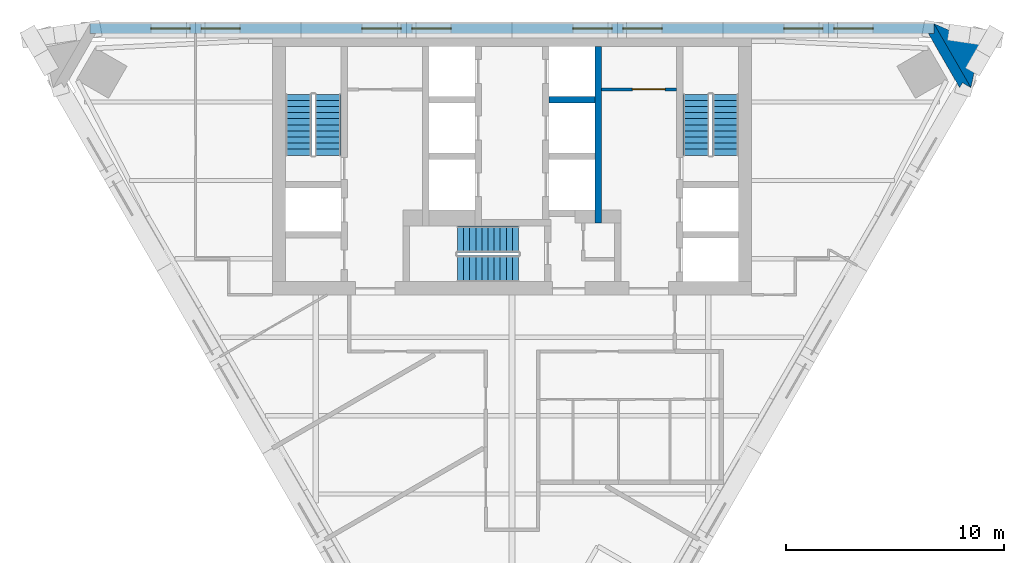
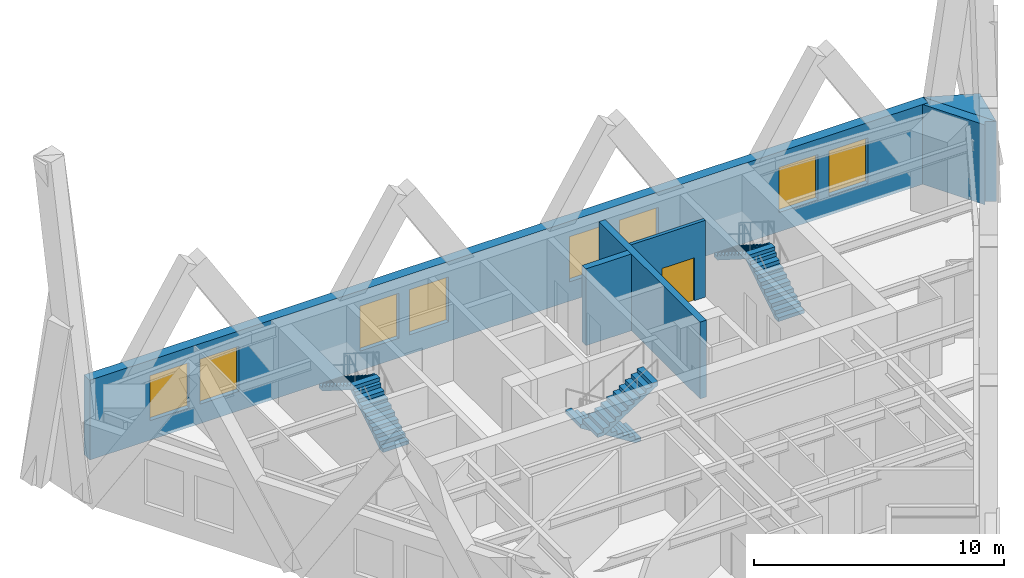
# One storey, part 6 of 7: 8 windows, 6 stair flights, 6 walls, 1 door, 9 openings, 3 elements without a shape of their own.
"""IFC4 building model written with IfcOpenShell, lengths in metres."""

from ifc_helpers import new_model, si_unit, direction, frame, frame_2d, origin, place, context, subcontext, project, spatial, polyline, rectangle, outline, extrude, material, layer, layer_set, type_object, element, fill, aggregate, save


model = new_model("IFC4")

# Units and contexts
model_context = context("Model", 3, precision=1e-05, world=origin(), true_north=direction((0.0, 1.0)))
body_context = subcontext(model_context, "Body", "Model", "MODEL_VIEW")
ifc_project = project(units=[si_unit("LENGTHUNIT", "METRE"), si_unit("AREAUNIT", "SQUARE_METRE"), si_unit("VOLUMEUNIT", "CUBIC_METRE"), si_unit("PLANEANGLEUNIT", "RADIAN"), si_unit("MASSUNIT", "GRAM", prefix="KILO")], contexts=[model_context])

# Site, building, storey
site_placement = place(None, origin())
site = spatial("IfcSite", under=ifc_project, at=site_placement, CompositionType="ELEMENT")
building_placement = place(site_placement, origin())
building = spatial("IfcBuilding", under=site, at=building_placement, Name="Aloe Facet Convention Tower", CompositionType="ELEMENT")
storey_placement = place(building_placement, frame((0.0, 0.0, 211.39990234375)))
storey = spatial("IfcBuildingStorey", under=building, at=storey_placement, Name="L53", CompositionType="ELEMENT", Elevation=211.39990234375)

# Wall, opening, door
ifc_material_1 = material(Name="Concrete blockwork partition", Category="masonry")
ifc_layer_1 = layer(ifc_material_1, 0.14990234375)
ifc_layer_set_1 = layer_set([ifc_layer_1], Name="CR-W-PART150")
wall_type_1 = type_object("IfcWallType", Name="CR-W-PART150", PredefinedType="PARTITIONING", material=ifc_layer_set_1)
wall_1_placement = place(storey_placement, frame((84.10009765625, 131.97509765625, 0.0), z_axis=(0.0, 0.0, 1.0), x_axis=(1.0, 0.0, 0.0)))
wall_1 = element("IfcWall", 1, at=wall_1_placement, inside=storey, type_object=wall_type_1, Name="Core partition L53-025", PredefinedType="PARTITIONING", context=body_context, shape_type="SweptSolid", body=[
    extrude(rectangle(XDim=3.449951171875, YDim=0.14990234375, at=frame_2d((1.72509765625, 0.0))), origin(), (0.0, 0.0, 1.0), 3.75),
])
opening_1_placement = place(wall_1_placement, frame((1.425048828125, 0.0, 0.0)))
opening_1 = element("IfcOpeningElement", 2, at=opening_1_placement, cuts=wall_1, Name="Opening L53-CD13", PredefinedType="OPENING", context=body_context, shape_type="SweptSolid", body=[
    extrude(rectangle(XDim=1.5, YDim=2.10009765625, at=frame_2d((0.75, 1.050048828125))), frame((0.0, 0.0849609375, 0.0), z_axis=(0.0, -1.0, 0.0), x_axis=(1.0, 0.0, 0.0)), (0.0, 0.0, 1.0), 0.169921875),
])
ifc_material_2 = material(Name="Steel fire-resisting door set FD60", Category="steel")
door_type = type_object("IfcDoorType", Name="CR-D-REFUGE-1500-FD60-DD", OperationType="DOUBLE_DOOR_DOUBLE_SWING", PredefinedType="DOOR", material=ifc_material_2)
door_placement = place(opening_1_placement, origin())
door = element("IfcDoor", 3, at=door_placement, inside=storey, type_object=door_type, Name="Core door L53-CD13", OperationType="DOUBLE_DOOR_DOUBLE_SWING", OverallHeight=2.10009765625, OverallWidth=1.5, PredefinedType="DOOR", context=body_context, shape_type="SweptSolid", body=[
    extrude(rectangle(XDim=1.5, YDim=2.10009765625, at=frame_2d((0.75, 1.050048828125))), frame((0.0, 0.02490234375, 0.0), z_axis=(0.0, -1.0, 0.0), x_axis=(1.0, 0.0, 0.0)), (0.0, 0.0, 1.0), 0.050048828125),
])
fill(opening_1, door)

# Walls
ifc_material_3 = material(Name="Concrete C50/60", Category="concrete")
ifc_layer_2 = layer(ifc_material_3, 0.300048828125)
ifc_layer_set_2 = layer_set([ifc_layer_2], Name="CR-W-RC300-C5060")
wall_type_2 = type_object("IfcWallType", Name="CR-W-RC300-C5060", PredefinedType="SOLIDWALL", material=ifc_layer_set_2)
wall_2_placement = place(storey_placement, frame((81.699951171875, 131.5, 0.0), z_axis=(0.0, 0.0, 1.0), x_axis=(1.0, 0.0, 0.0)))
element("IfcWall", 4, at=wall_2_placement, inside=storey, type_object=wall_type_2, Name="Core wall L53-018", PredefinedType="SOLIDWALL", context=body_context, shape_type="SweptSolid", body=[
    extrude(rectangle(XDim=2.10009765625, YDim=0.300048828125, at=frame_2d((1.050048828125, 0.0))), origin(), (0.0, 0.0, 1.0), 3.75),
])
wall_3_placement = place(storey_placement, frame((83.949951171875, 133.949951171875, 0.0), z_axis=(0.0, 0.0, 1.0), x_axis=(0.0, -1.0, 0.0)))
element("IfcWall", 5, at=wall_3_placement, inside=storey, type_object=wall_type_2, Name="Core wall L53-024", PredefinedType="SOLIDWALL", context=body_context, shape_type="SweptSolid", body=[
    extrude(rectangle(XDim=8.099853515625, YDim=0.300048828125, at=frame_2d((4.0498046875, 0.0))), origin(), (0.0, 0.0, 1.0), 3.75),
])
ifc_material_4 = material(Name="Precast concrete C40/50", Category="concrete")
ifc_layer_3 = layer(ifc_material_4, 0.449951171875)
ifc_layer_set_3 = layer_set([ifc_layer_3], Name="EV-WALL-PIER")
wall_type_3 = type_object("IfcWallType", Name="EV-WALL-PIER", PredefinedType="SOLIDWALL", material=ifc_layer_set_3)
wall_4_placement = place(storey_placement, frame((0.0, 0.0, -0.14990234375)))
element("IfcWall", 6, at=wall_4_placement, inside=storey, type_object=wall_type_3, Name="EP-L53-C", PredefinedType="SOLIDWALL", context=body_context, shape_type="SweptSolid", body=[
    extrude(outline(polyline([(101.064697265625, 132.055419921875), (100.6748046875, 132.280517578125), (100.544921875, 132.055419921875), (99.104736328125, 134.550048828125), (99.364501953125, 134.550048828125), (99.364501953125, 135.0), (101.064697265625, 132.055419921875)])), origin(), (0.0, 0.0, 1.0), 3.89990234375),
])
ifc_material_5 = material(Name="Precast concrete C40/50", Category="concrete")
ifc_layer_4 = layer(ifc_material_5, 3.947998046875)
ifc_layer_set_4 = layer_set([ifc_layer_4], Name="EV-WALL-SPINE")
wall_type_4 = type_object("IfcWallType", Name="EV-WALL-SPINE", PredefinedType="SOLIDWALL", material=ifc_layer_set_4)
wall_5_placement = place(storey_placement, frame((0.0, 0.0, -0.14990234375)))
element("IfcWall", 7, at=wall_5_placement, inside=storey, type_object=wall_type_4, Name="SP-NE-L53", PredefinedType="SOLIDWALL", context=body_context, shape_type="SweptSolid", body=[
    extrude(outline(polyline([(101.064697265625, 132.055419921875), (101.47802734375, 134.07470703125), (99.364501953125, 135.0), (101.064697265625, 132.055419921875)])), origin(), (0.0, 0.0, 1.0), 3.89990234375),
])

# Wall, openings, windows
ifc_material_6 = material(Name="Precast concrete C40/50", Category="concrete")
ifc_layer_5 = layer(ifc_material_6, 0.449951171875)
ifc_layer_set_5 = layer_set([ifc_layer_5], Name="EV-WALL-STONE")
wall_type_5 = type_object("IfcWallType", Name="EV-WALL-STONE", PredefinedType="SOLIDWALL", material=ifc_layer_set_5)
wall_6_placement = place(storey_placement, frame((99.364501953125, 134.77490234375, -0.14990234375), z_axis=(0.0, 0.0, 1.0), x_axis=(-1.0, 0.0, 0.0)))
wall_6 = element("IfcWall", 8, at=wall_6_placement, inside=storey, type_object=wall_type_5, Name="EW-L53-N01", PredefinedType="SOLIDWALL", context=body_context, shape_type="SweptSolid", body=[
    extrude(outline(polyline([(38.729248046875, 0.0), (38.729248046875, 3.89990234375), (0.0, 3.89990234375), (0.0, 0.0), (38.729248046875, 0.0)])), frame((0.0, 0.22509765625, 0.0), z_axis=(0.0, -1.0, 0.0), x_axis=(1.0, 0.0, 0.0)), (0.0, 0.0, 1.0), 0.449951171875),
])
opening_2_placement = place(wall_6_placement, frame((2.791259765625, 0.0, 0.949951171875)))
opening_2 = element("IfcOpeningElement", 9, at=opening_2_placement, cuts=wall_6, Name="Opening W-L53-N01", PredefinedType="OPENING", context=body_context, shape_type="SweptSolid", body=[
    extrude(rectangle(XDim=1.800048828125, YDim=2.199951171875, at=frame_2d((0.89990234375, 1.10009765625))), frame((0.0, 0.23486328125, 0.0), z_axis=(0.0, -1.0, 0.0), x_axis=(1.0, 0.0, 0.0)), (0.0, 0.0, 1.0), 0.469970703125),
])
opening_3_placement = place(wall_6_placement, frame((5.091064453125, 0.0, 0.949951171875)))
opening_3 = element("IfcOpeningElement", 10, at=opening_3_placement, cuts=wall_6, Name="Opening W-L53-N02", PredefinedType="OPENING", context=body_context, shape_type="SweptSolid", body=[
    extrude(rectangle(XDim=1.800048828125, YDim=2.199951171875, at=frame_2d((0.89990234375, 1.10009765625))), frame((0.0, 0.23486328125, 0.0), z_axis=(0.0, -1.0, 0.0), x_axis=(1.0, 0.0, 0.0)), (0.0, 0.0, 1.0), 0.469970703125),
])
opening_4_placement = place(wall_6_placement, frame((12.473388671875, 0.0, 0.949951171875)))
opening_4 = element("IfcOpeningElement", 11, at=opening_4_placement, cuts=wall_6, Name="Opening W-L53-N03", PredefinedType="OPENING", context=body_context, shape_type="SweptSolid", body=[
    extrude(rectangle(XDim=1.800048828125, YDim=2.199951171875, at=frame_2d((0.89990234375, 1.10009765625))), frame((0.0, 0.23486328125, 0.0), z_axis=(0.0, -1.0, 0.0), x_axis=(1.0, 0.0, 0.0)), (0.0, 0.0, 1.0), 0.469970703125),
])
opening_5_placement = place(wall_6_placement, frame((14.7734375, 0.0, 0.949951171875)))
opening_5 = element("IfcOpeningElement", 12, at=opening_5_placement, cuts=wall_6, Name="Opening W-L53-N04", PredefinedType="OPENING", context=body_context, shape_type="SweptSolid", body=[
    extrude(rectangle(XDim=1.800048828125, YDim=2.199951171875, at=frame_2d((0.89990234375, 1.10009765625))), frame((0.0, 0.23486328125, 0.0), z_axis=(0.0, -1.0, 0.0), x_axis=(1.0, 0.0, 0.0)), (0.0, 0.0, 1.0), 0.469970703125),
])
opening_6_placement = place(wall_6_placement, frame((22.15576171875, 0.0, 0.949951171875)))
opening_6 = element("IfcOpeningElement", 13, at=opening_6_placement, cuts=wall_6, Name="Opening W-L53-N05", PredefinedType="OPENING", context=body_context, shape_type="SweptSolid", body=[
    extrude(rectangle(XDim=1.800048828125, YDim=2.199951171875, at=frame_2d((0.89990234375, 1.10009765625))), frame((0.0, 0.23486328125, 0.0), z_axis=(0.0, -1.0, 0.0), x_axis=(1.0, 0.0, 0.0)), (0.0, 0.0, 1.0), 0.469970703125),
])
opening_7_placement = place(wall_6_placement, frame((24.455810546875, 0.0, 0.949951171875)))
opening_7 = element("IfcOpeningElement", 14, at=opening_7_placement, cuts=wall_6, Name="Opening W-L53-N06", PredefinedType="OPENING", context=body_context, shape_type="SweptSolid", body=[
    extrude(rectangle(XDim=1.800048828125, YDim=2.199951171875, at=frame_2d((0.89990234375, 1.10009765625))), frame((0.0, 0.23486328125, 0.0), z_axis=(0.0, -1.0, 0.0), x_axis=(1.0, 0.0, 0.0)), (0.0, 0.0, 1.0), 0.469970703125),
])
opening_8_placement = place(wall_6_placement, frame((31.838134765625, 0.0, 0.949951171875)))
opening_8 = element("IfcOpeningElement", 15, at=opening_8_placement, cuts=wall_6, Name="Opening W-L53-N07", PredefinedType="OPENING", context=body_context, shape_type="SweptSolid", body=[
    extrude(rectangle(XDim=1.800048828125, YDim=2.199951171875, at=frame_2d((0.89990234375, 1.10009765625))), frame((0.0, 0.23486328125, 0.0), z_axis=(0.0, -1.0, 0.0), x_axis=(1.0, 0.0, 0.0)), (0.0, 0.0, 1.0), 0.469970703125),
])
opening_9_placement = place(wall_6_placement, frame((34.13818359375, 0.0, 0.949951171875)))
opening_9 = element("IfcOpeningElement", 16, at=opening_9_placement, cuts=wall_6, Name="Opening W-L53-N08", PredefinedType="OPENING", context=body_context, shape_type="SweptSolid", body=[
    extrude(rectangle(XDim=1.800048828125, YDim=2.199951171875, at=frame_2d((0.89990234375, 1.10009765625))), frame((0.0, 0.23486328125, 0.0), z_axis=(0.0, -1.0, 0.0), x_axis=(1.0, 0.0, 0.0)), (0.0, 0.0, 1.0), 0.469970703125),
])
ifc_material_7 = material(Name="Aluminium frame, clear double glazing", Category="aluminium")
window_type = type_object("IfcWindowType", Name="EV-WIN-O18", PartitioningType="SINGLE_PANEL", PredefinedType="WINDOW", material=ifc_material_7)
window_1_placement = place(opening_2_placement, origin())
window_1 = element("IfcWindow", 17, at=window_1_placement, inside=storey, type_object=window_type, Name="W-L53-N01", OverallHeight=2.199951171875, OverallWidth=1.800048828125, PartitioningType="SINGLE_PANEL", PredefinedType="WINDOW", context=body_context, shape_type="SweptSolid", body=[
    extrude(rectangle(XDim=1.800048828125, YDim=2.199951171875, at=frame_2d((0.89990234375, 1.10009765625))), frame((0.0, 0.030029296875, 0.0), z_axis=(0.0, -1.0, 0.0), x_axis=(1.0, 0.0, 0.0)), (0.0, 0.0, 1.0), 0.06005859375),
])
fill(opening_2, window_1)
window_2_placement = place(opening_3_placement, origin())
window_2 = element("IfcWindow", 18, at=window_2_placement, inside=storey, type_object=window_type, Name="W-L53-N02", OverallHeight=2.199951171875, OverallWidth=1.800048828125, PartitioningType="SINGLE_PANEL", PredefinedType="WINDOW", context=body_context, shape_type="SweptSolid", body=[
    extrude(rectangle(XDim=1.800048828125, YDim=2.199951171875, at=frame_2d((0.89990234375, 1.10009765625))), frame((0.0, 0.030029296875, 0.0), z_axis=(0.0, -1.0, 0.0), x_axis=(1.0, 0.0, 0.0)), (0.0, 0.0, 1.0), 0.06005859375),
])
fill(opening_3, window_2)
window_3_placement = place(opening_4_placement, origin())
window_3 = element("IfcWindow", 19, at=window_3_placement, inside=storey, type_object=window_type, Name="W-L53-N03", OverallHeight=2.199951171875, OverallWidth=1.800048828125, PartitioningType="SINGLE_PANEL", PredefinedType="WINDOW", context=body_context, shape_type="SweptSolid", body=[
    extrude(rectangle(XDim=1.800048828125, YDim=2.199951171875, at=frame_2d((0.89990234375, 1.10009765625))), frame((0.0, 0.030029296875, 0.0), z_axis=(0.0, -1.0, 0.0), x_axis=(1.0, 0.0, 0.0)), (0.0, 0.0, 1.0), 0.06005859375),
])
fill(opening_4, window_3)
window_4_placement = place(opening_5_placement, origin())
window_4 = element("IfcWindow", 20, at=window_4_placement, inside=storey, type_object=window_type, Name="W-L53-N04", OverallHeight=2.199951171875, OverallWidth=1.800048828125, PartitioningType="SINGLE_PANEL", PredefinedType="WINDOW", context=body_context, shape_type="SweptSolid", body=[
    extrude(rectangle(XDim=1.800048828125, YDim=2.199951171875, at=frame_2d((0.89990234375, 1.10009765625))), frame((0.0, 0.030029296875, 0.0), z_axis=(0.0, -1.0, 0.0), x_axis=(1.0, 0.0, 0.0)), (0.0, 0.0, 1.0), 0.06005859375),
])
fill(opening_5, window_4)
window_5_placement = place(opening_6_placement, origin())
window_5 = element("IfcWindow", 21, at=window_5_placement, inside=storey, type_object=window_type, Name="W-L53-N05", OverallHeight=2.199951171875, OverallWidth=1.800048828125, PartitioningType="SINGLE_PANEL", PredefinedType="WINDOW", context=body_context, shape_type="SweptSolid", body=[
    extrude(rectangle(XDim=1.800048828125, YDim=2.199951171875, at=frame_2d((0.89990234375, 1.10009765625))), frame((0.0, 0.030029296875, 0.0), z_axis=(0.0, -1.0, 0.0), x_axis=(1.0, 0.0, 0.0)), (0.0, 0.0, 1.0), 0.06005859375),
])
fill(opening_6, window_5)
window_6_placement = place(opening_7_placement, origin())
window_6 = element("IfcWindow", 22, at=window_6_placement, inside=storey, type_object=window_type, Name="W-L53-N06", OverallHeight=2.199951171875, OverallWidth=1.800048828125, PartitioningType="SINGLE_PANEL", PredefinedType="WINDOW", context=body_context, shape_type="SweptSolid", body=[
    extrude(rectangle(XDim=1.800048828125, YDim=2.199951171875, at=frame_2d((0.89990234375, 1.10009765625))), frame((0.0, 0.030029296875, 0.0), z_axis=(0.0, -1.0, 0.0), x_axis=(1.0, 0.0, 0.0)), (0.0, 0.0, 1.0), 0.06005859375),
])
fill(opening_7, window_6)
window_7_placement = place(opening_8_placement, origin())
window_7 = element("IfcWindow", 23, at=window_7_placement, inside=storey, type_object=window_type, Name="W-L53-N07", OverallHeight=2.199951171875, OverallWidth=1.800048828125, PartitioningType="SINGLE_PANEL", PredefinedType="WINDOW", context=body_context, shape_type="SweptSolid", body=[
    extrude(rectangle(XDim=1.800048828125, YDim=2.199951171875, at=frame_2d((0.89990234375, 1.10009765625))), frame((0.0, 0.030029296875, 0.0), z_axis=(0.0, -1.0, 0.0), x_axis=(1.0, 0.0, 0.0)), (0.0, 0.0, 1.0), 0.06005859375),
])
fill(opening_8, window_7)
window_8_placement = place(opening_9_placement, origin())
window_8 = element("IfcWindow", 24, at=window_8_placement, inside=storey, type_object=window_type, Name="W-L53-N08", OverallHeight=2.199951171875, OverallWidth=1.800048828125, PartitioningType="SINGLE_PANEL", PredefinedType="WINDOW", context=body_context, shape_type="SweptSolid", body=[
    extrude(rectangle(XDim=1.800048828125, YDim=2.199951171875, at=frame_2d((0.89990234375, 1.10009765625))), frame((0.0, 0.030029296875, 0.0), z_axis=(0.0, -1.0, 0.0), x_axis=(1.0, 0.0, 0.0)), (0.0, 0.0, 1.0), 0.06005859375),
])
fill(opening_9, window_8)

# Stair, stair flights
ifc_material_8 = material(Name="Concrete C50/60", Category="concrete")
stair_type = type_object("IfcStairType", Name="CR-ST-22R", PredefinedType="HALF_TURN_STAIR", material=ifc_material_8)
stair_1_placement = place(storey_placement, origin())
stair_1 = element("IfcStair", 25, at=stair_1_placement, inside=storey, type_object=stair_type, Name="L53 Protected exit stair ST1", PredefinedType="HALF_TURN_STAIR")
ifc_material_9 = material(Name="Concrete C50/60", Category="concrete")
stair_flight_type = type_object("IfcStairFlightType", Name="CR-SFL-22R", PredefinedType="STRAIGHT", material=ifc_material_9)
stair_flight_1_placement = place(storey_placement, frame((71.550048828125, 128.949951171875, 0.0), z_axis=(0.0, 0.0, 1.0), x_axis=(0.0, 1.0, 0.0)))
stair_flight_1 = element("IfcStairFlight", 26, at=stair_flight_1_placement, type_object=stair_flight_type, Name="ST1 flight 1", NumberOfRisers=11, NumberOfTreads=10, PredefinedType="STRAIGHT", RiserHeight=0.177272727, TreadLength=0.28, context=body_context, shape_type="SweptSolid", body=[
    extrude(outline(polyline([(0.0, 0.0), (0.0, 0.17724609375), (0.280029296875, 0.17724609375), (0.280029296875, 0.3544921875), (0.56005859375, 0.3544921875), (0.56005859375, 0.53173828125), (0.840087890625, 0.53173828125), (0.840087890625, 0.708984375), (1.1201171875, 0.708984375), (1.1201171875, 0.886474609375), (1.39990234375, 0.886474609375), (1.39990234375, 1.063720703125), (1.679931640625, 1.063720703125), (1.679931640625, 1.240966796875), (1.9599609375, 1.240966796875), (1.9599609375, 1.418212890625), (2.239990234375, 1.418212890625), (2.239990234375, 1.595458984375), (2.52001953125, 1.595458984375), (2.52001953125, 1.772705078125), (2.800048828125, 1.772705078125), (2.800048828125, 1.949951171875), (2.800048828125, 1.59521484375), (0.2802734375, 0.0), (0.0, 0.0)])), frame((0.0, 0.60009765625, 0.0), z_axis=(0.0, -1.0, 0.0), x_axis=(1.0, 0.0, 0.0)), (0.0, 0.0, 1.0), 1.199951171875),
])
stair_flight_2_placement = place(storey_placement, frame((70.199951171875, 131.75, 1.9501953125), z_axis=(0.0, 0.0, 1.0), x_axis=(0.0, -1.0, 0.0)))
stair_flight_2 = element("IfcStairFlight", 27, at=stair_flight_2_placement, type_object=stair_flight_type, Name="ST1 flight 2", NumberOfRisers=11, NumberOfTreads=10, PredefinedType="STRAIGHT", RiserHeight=0.177272727, TreadLength=0.28, context=body_context, shape_type="SweptSolid", body=[
    extrude(outline(polyline([(0.0, 0.0), (0.0, 0.17724609375), (0.280029296875, 0.17724609375), (0.280029296875, 0.3544921875), (0.56005859375, 0.3544921875), (0.56005859375, 0.53173828125), (0.840087890625, 0.53173828125), (0.840087890625, 0.708984375), (1.1201171875, 0.708984375), (1.1201171875, 0.886474609375), (1.39990234375, 0.886474609375), (1.39990234375, 1.063720703125), (1.679931640625, 1.063720703125), (1.679931640625, 1.240966796875), (1.9599609375, 1.240966796875), (1.9599609375, 1.418212890625), (2.239990234375, 1.418212890625), (2.239990234375, 1.595458984375), (2.52001953125, 1.595458984375), (2.52001953125, 1.772705078125), (2.800048828125, 1.772705078125), (2.800048828125, 1.949951171875), (2.800048828125, 1.59521484375), (0.2802734375, 0.0), (0.0, 0.0)])), frame((0.0, 0.60009765625, 0.0), z_axis=(0.0, -1.0, 0.0), x_axis=(1.0, 0.0, 0.0)), (0.0, 0.0, 1.0), 1.199951171875),
])
aggregate(stair_1, [stair_flight_1, stair_flight_2])

stair_2_placement = place(storey_placement, origin())
stair_2 = element("IfcStair", 28, at=stair_2_placement, inside=storey, type_object=stair_type, Name="L53 Protected exit stair ST2", PredefinedType="HALF_TURN_STAIR")
stair_flight_3_placement = place(storey_placement, frame((89.800048828125, 128.949951171875, 0.0), z_axis=(0.0, 0.0, 1.0), x_axis=(0.0, 1.0, 0.0)))
stair_flight_3 = element("IfcStairFlight", 29, at=stair_flight_3_placement, type_object=stair_flight_type, Name="ST2 flight 1", NumberOfRisers=11, NumberOfTreads=10, PredefinedType="STRAIGHT", RiserHeight=0.177272727, TreadLength=0.28, context=body_context, shape_type="SweptSolid", body=[
    extrude(outline(polyline([(0.0, 0.0), (0.0, 0.17724609375), (0.280029296875, 0.17724609375), (0.280029296875, 0.3544921875), (0.56005859375, 0.3544921875), (0.56005859375, 0.53173828125), (0.840087890625, 0.53173828125), (0.840087890625, 0.708984375), (1.1201171875, 0.708984375), (1.1201171875, 0.886474609375), (1.39990234375, 0.886474609375), (1.39990234375, 1.063720703125), (1.679931640625, 1.063720703125), (1.679931640625, 1.240966796875), (1.9599609375, 1.240966796875), (1.9599609375, 1.418212890625), (2.239990234375, 1.418212890625), (2.239990234375, 1.595458984375), (2.52001953125, 1.595458984375), (2.52001953125, 1.772705078125), (2.800048828125, 1.772705078125), (2.800048828125, 1.949951171875), (2.800048828125, 1.59521484375), (0.2802734375, 0.0), (0.0, 0.0)])), frame((0.0, 0.60009765625, 0.0), z_axis=(0.0, -1.0, 0.0), x_axis=(1.0, 0.0, 0.0)), (0.0, 0.0, 1.0), 1.199951171875),
])
stair_flight_4_placement = place(storey_placement, frame((88.449951171875, 131.75, 1.9501953125), z_axis=(0.0, 0.0, 1.0), x_axis=(0.0, -1.0, 0.0)))
stair_flight_4 = element("IfcStairFlight", 30, at=stair_flight_4_placement, type_object=stair_flight_type, Name="ST2 flight 2", NumberOfRisers=11, NumberOfTreads=10, PredefinedType="STRAIGHT", RiserHeight=0.177272727, TreadLength=0.28, context=body_context, shape_type="SweptSolid", body=[
    extrude(outline(polyline([(0.0, 0.0), (0.0, 0.17724609375), (0.280029296875, 0.17724609375), (0.280029296875, 0.3544921875), (0.56005859375, 0.3544921875), (0.56005859375, 0.53173828125), (0.840087890625, 0.53173828125), (0.840087890625, 0.708984375), (1.1201171875, 0.708984375), (1.1201171875, 0.886474609375), (1.39990234375, 0.886474609375), (1.39990234375, 1.063720703125), (1.679931640625, 1.063720703125), (1.679931640625, 1.240966796875), (1.9599609375, 1.240966796875), (1.9599609375, 1.418212890625), (2.239990234375, 1.418212890625), (2.239990234375, 1.595458984375), (2.52001953125, 1.595458984375), (2.52001953125, 1.772705078125), (2.800048828125, 1.772705078125), (2.800048828125, 1.949951171875), (2.800048828125, 1.59521484375), (0.2802734375, 0.0), (0.0, 0.0)])), frame((0.0, 0.60009765625, 0.0), z_axis=(0.0, -1.0, 0.0), x_axis=(1.0, 0.0, 0.0)), (0.0, 0.0, 1.0), 1.199951171875),
])
aggregate(stair_2, [stair_flight_3, stair_flight_4])

stair_3_placement = place(storey_placement, origin())
stair_3 = element("IfcStair", 31, at=stair_3_placement, inside=storey, type_object=stair_type, Name="L53 Protected exit stair ST3", PredefinedType="HALF_TURN_STAIR")
stair_flight_5_placement = place(storey_placement, frame((80.300048828125, 125.10009765625, 0.0), z_axis=(0.0, 0.0, 1.0), x_axis=(-1.0, 0.0, 0.0)))
stair_flight_5 = element("IfcStairFlight", 32, at=stair_flight_5_placement, type_object=stair_flight_type, Name="ST3 flight 1", NumberOfRisers=11, NumberOfTreads=10, PredefinedType="STRAIGHT", RiserHeight=0.177272727, TreadLength=0.28, context=body_context, shape_type="SweptSolid", body=[
    extrude(outline(polyline([(0.0, 0.0), (0.0, 0.17724609375), (0.280029296875, 0.17724609375), (0.280029296875, 0.3544921875), (0.56005859375, 0.3544921875), (0.56005859375, 0.53173828125), (0.840087890625, 0.53173828125), (0.840087890625, 0.708984375), (1.1201171875, 0.708984375), (1.1201171875, 0.886474609375), (1.39990234375, 0.886474609375), (1.39990234375, 1.063720703125), (1.679931640625, 1.063720703125), (1.679931640625, 1.240966796875), (1.9599609375, 1.240966796875), (1.9599609375, 1.418212890625), (2.239990234375, 1.418212890625), (2.239990234375, 1.595458984375), (2.52001953125, 1.595458984375), (2.52001953125, 1.772705078125), (2.800048828125, 1.772705078125), (2.800048828125, 1.949951171875), (2.800048828125, 1.59521484375), (0.2802734375, 0.0), (0.0, 0.0)])), frame((0.0, 0.60009765625, 0.0), z_axis=(0.0, -1.0, 0.0), x_axis=(1.0, 0.0, 0.0)), (0.0, 0.0, 1.0), 1.199951171875),
])
stair_flight_6_placement = place(storey_placement, frame((77.5, 123.75, 1.9501953125), z_axis=(0.0, 0.0, 1.0), x_axis=(1.0, 0.0, 0.0)))
stair_flight_6 = element("IfcStairFlight", 33, at=stair_flight_6_placement, type_object=stair_flight_type, Name="ST3 flight 2", NumberOfRisers=11, NumberOfTreads=10, PredefinedType="STRAIGHT", RiserHeight=0.177272727, TreadLength=0.28, context=body_context, shape_type="SweptSolid", body=[
    extrude(outline(polyline([(0.0, 0.0), (0.0, 0.17724609375), (0.280029296875, 0.17724609375), (0.280029296875, 0.3544921875), (0.56005859375, 0.3544921875), (0.56005859375, 0.53173828125), (0.840087890625, 0.53173828125), (0.840087890625, 0.708984375), (1.1201171875, 0.708984375), (1.1201171875, 0.886474609375), (1.39990234375, 0.886474609375), (1.39990234375, 1.063720703125), (1.679931640625, 1.063720703125), (1.679931640625, 1.240966796875), (1.9599609375, 1.240966796875), (1.9599609375, 1.418212890625), (2.239990234375, 1.418212890625), (2.239990234375, 1.595458984375), (2.52001953125, 1.595458984375), (2.52001953125, 1.772705078125), (2.800048828125, 1.772705078125), (2.800048828125, 1.949951171875), (2.800048828125, 1.59521484375), (0.2802734375, 0.0), (0.0, 0.0)])), frame((0.0, 0.60009765625, 0.0), z_axis=(0.0, -1.0, 0.0), x_axis=(1.0, 0.0, 0.0)), (0.0, 0.0, 1.0), 1.199951171875),
])
aggregate(stair_3, [stair_flight_5, stair_flight_6])

save(model, "model.ifc")
